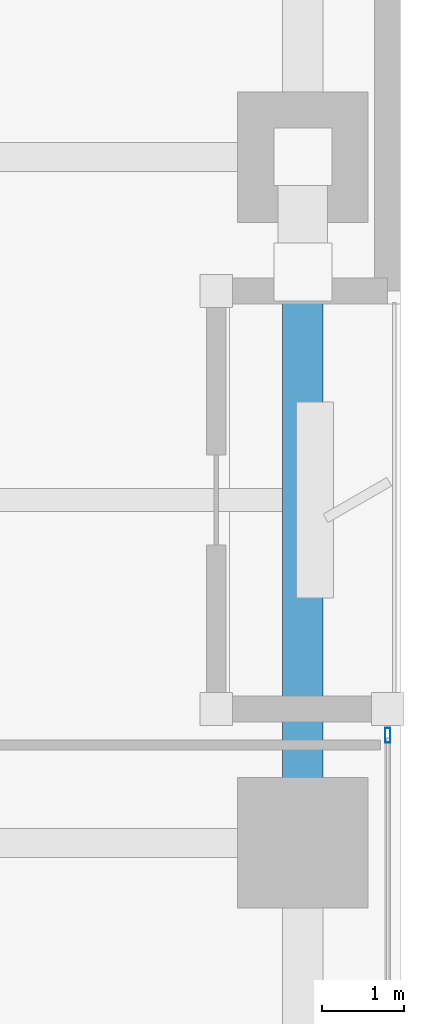
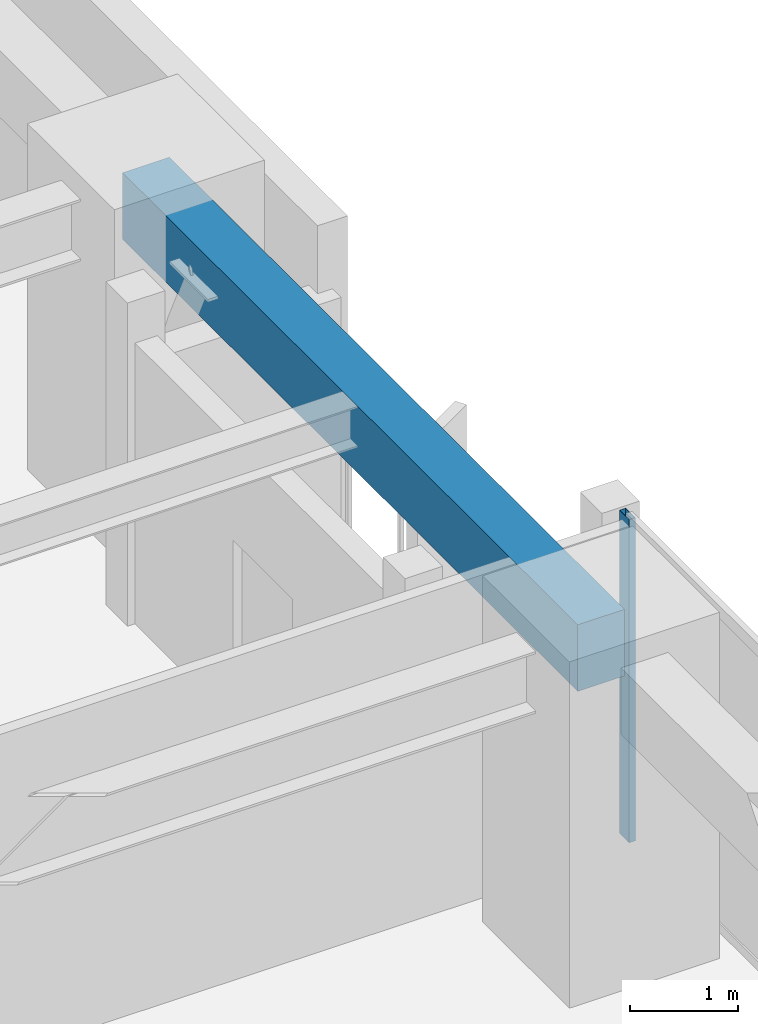
# One storey, part 10 of 28: 1 beam, 1 member, 1 element without a shape of its own.
"""IFC4 building model written with IfcOpenShell, lengths in metres."""

from ifc_helpers import new_model, si_unit, direction, frame, origin, origin_2d, place, context, subcontext, project, spatial, rectangle, hollow_rectangle, extrude, material, layer, layer_set, material_profile, profile_set, type_object, element, aggregate, save


model = new_model("IFC4")

# Units and contexts
model_context = context("Model", 3, precision=1e-05, world=origin(), true_north=direction((0.0, 1.0)))
body_context = subcontext(model_context, "Body", "Model", "MODEL_VIEW")
ifc_project = project(units=[si_unit("LENGTHUNIT", "METRE"), si_unit("AREAUNIT", "SQUARE_METRE"), si_unit("VOLUMEUNIT", "CUBIC_METRE"), si_unit("PLANEANGLEUNIT", "RADIAN"), si_unit("MASSUNIT", "GRAM", prefix="KILO")], contexts=[model_context])

# Site, building, storey
site_placement = place(None, origin())
site = spatial("IfcSite", under=ifc_project, at=site_placement, CompositionType="ELEMENT")
building_placement = place(site_placement, origin())
building = spatial("IfcBuilding", under=site, at=building_placement, Name="Kiyonajd Concourse Tower", CompositionType="ELEMENT")
storey_placement = place(building_placement, frame((0.0, 0.0, 56.699951171875)))
storey = spatial("IfcBuildingStorey", under=building, at=storey_placement, Name="L15", CompositionType="ELEMENT", Elevation=56.699951171875)

# Beam
ifc_material_1 = material(Name="Precast concrete C50/60", Category="concrete")
ifc_material_profile_1 = material_profile(ifc_material_1, rectangle(XDim=0.5, YDim=0.75, at=origin_2d()), Name="RCBM-500x750")
ifc_profile_set_1 = profile_set([ifc_material_profile_1], Name="Precast concrete C50/60")
beam_type = type_object("IfcBeamType", Name="BM-SPAN-RC", PredefinedType="SPANDREL", material=ifc_profile_set_1)
beam_placement = place(storey_placement, frame((78.0, 36.0, 3.26513671875), z_axis=(0.0, 1.0, 0.0), x_axis=(-1.0, 0.0, 0.0)))
element("IfcBeam", 1, at=beam_placement, inside=storey, type_object=beam_type, Name="L15 Perimeter Bundled Tube Spandrel", PredefinedType="SPANDREL", context=body_context, shape_type="SweptSolid", body=[
    extrude(rectangle(XDim=0.5, YDim=0.75, at=origin_2d()), origin(), (0.0, 0.0, 1.0), 8.39990234375),
])

# Curtain wall, member
ifc_material_2 = material(Name="Thermally Broken Anodised Aluminium", Category="aluminium")
ifc_layer = layer(ifc_material_2, 0.179931640625)
ifc_layer_set = layer_set([ifc_layer], Name="Thermally Broken Anodised Aluminium")
curtain_wall_type = type_object("IfcCurtainWallType", Name="CW-SYS-02", PredefinedType="NOTDEFINED", material=ifc_layer_set)
curtain_wall_placement = place(storey_placement, origin())
curtain_wall = element("IfcCurtainWall", 2, at=curtain_wall_placement, inside=storey, type_object=curtain_wall_type, Name="L15 Unitised Curtain Wall CW2", PredefinedType="NOTDEFINED")
ifc_material_profile_2 = material_profile(ifc_material_2, hollow_rectangle(XDim=0.06494140625, YDim=0.179931640625, WallThickness=0.00390625, at=origin_2d()), Name="MULL-65x180")
ifc_profile_set_2 = profile_set([ifc_material_profile_2], Name="Thermally Broken Anodised Aluminium")
member_type = type_object("IfcMemberType", Name="MB-CW-MULL1", PredefinedType="MULLION", material=ifc_profile_set_2)
member_placement = place(storey_placement, frame((79.0400390625, 37.3173828125, 0.0), z_axis=(0.0, 0.0, 1.0), x_axis=(1.0, 0.0, 0.0)))
member = element("IfcMember", 3, at=member_placement, type_object=member_type, Name="CW2 mullion 1", PredefinedType="MULLION", context=body_context, shape_type="SweptSolid", body=[
    extrude(hollow_rectangle(XDim=0.06494140625, YDim=0.179931640625, WallThickness=0.00390625, at=origin_2d()), origin(), (0.0, 0.0, 1.0), 3.64013671875),
])
aggregate(curtain_wall, [member])

save(model, "model.ifc")
